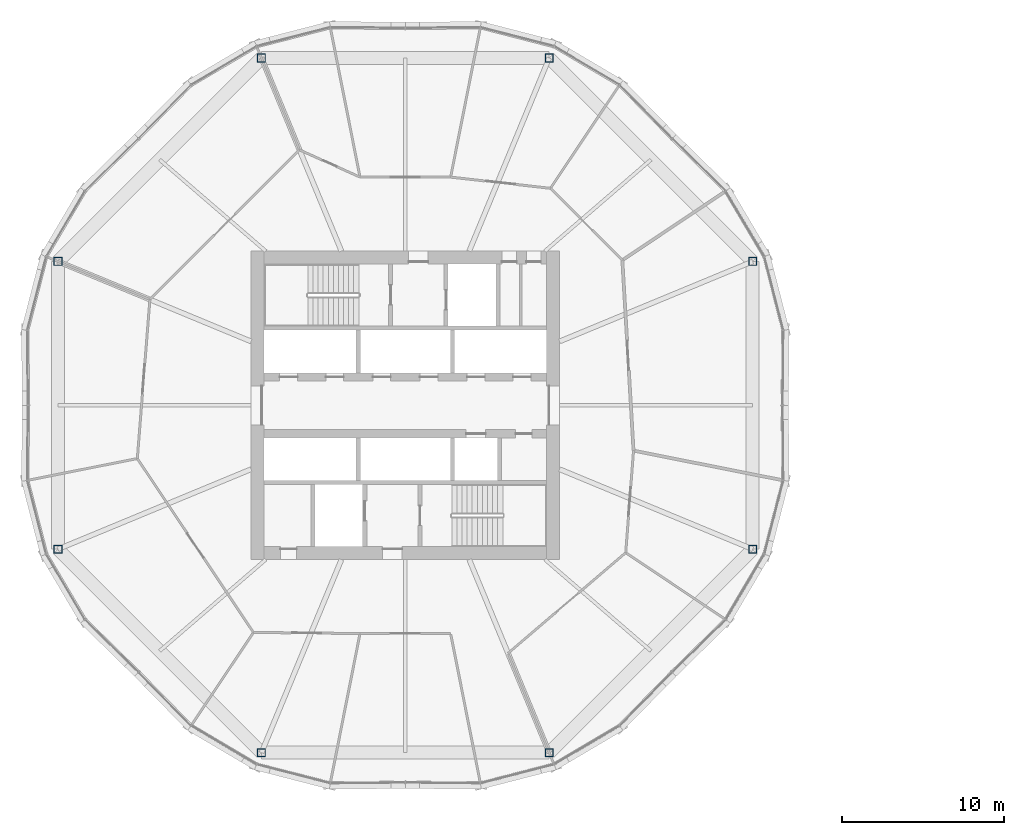
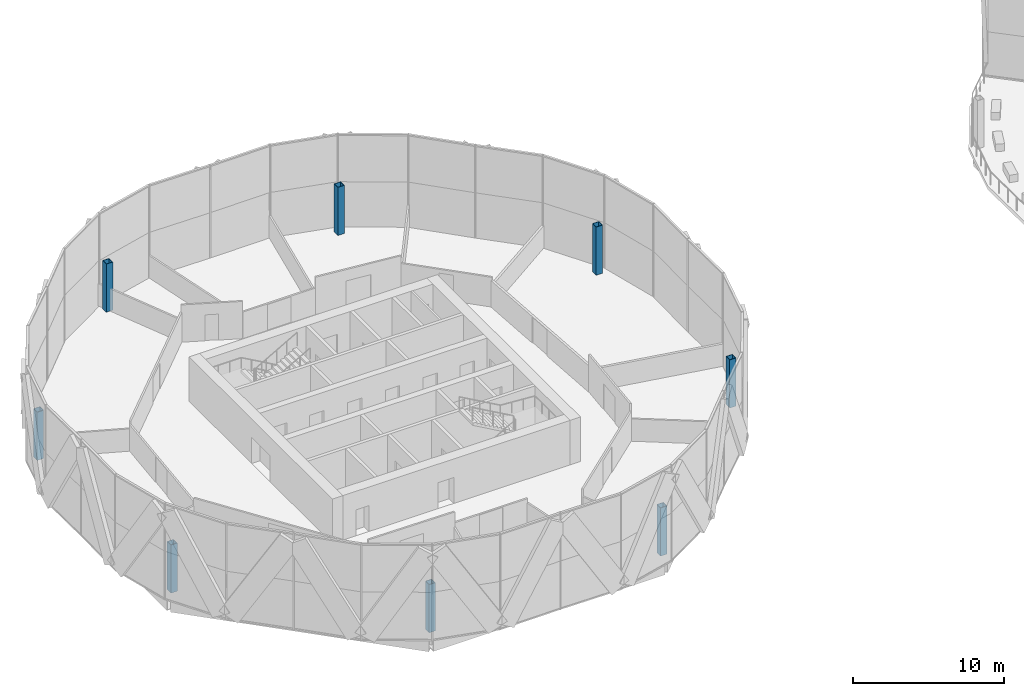
# One storey, part 1 of 31: 8 columns.
"""IFC4 building model written with IfcOpenShell, lengths in metres."""

from ifc_helpers import new_model, si_unit, direction, frame, origin, origin_2d, place, context, subcontext, project, spatial, hollow_rectangle, extrude, material, material_profile, profile_set, type_object, element, save


model = new_model("IFC4")

# Units and contexts
model_context = context("Model", 3, precision=1e-05, world=origin(), true_north=direction((0.0, 1.0)))
body_context = subcontext(model_context, "Body", "Model", "MODEL_VIEW")
ifc_project = project(units=[si_unit("LENGTHUNIT", "METRE"), si_unit("AREAUNIT", "SQUARE_METRE"), si_unit("VOLUMEUNIT", "CUBIC_METRE"), si_unit("PLANEANGLEUNIT", "RADIAN"), si_unit("MASSUNIT", "GRAM", prefix="KILO")], contexts=[model_context])

# Site, building, storey
site_placement = place(None, origin())
site = spatial("IfcSite", under=ifc_project, at=site_placement, CompositionType="ELEMENT")
building_placement = place(site_placement, origin())
building = spatial("IfcBuilding", under=site, at=building_placement, Name="Ogive Gate Towers", CompositionType="ELEMENT")
storey_placement = place(building_placement, frame((0.0, 0.0, 107.39990234375)))
storey = spatial("IfcBuildingStorey", under=building, at=storey_placement, Name="L25", CompositionType="ELEMENT", Elevation=107.39990234375)

# Columns
ifc_material = material(Name="Steel SM460", Category="steel")
ifc_material_profile = material_profile(ifc_material, hollow_rectangle(XDim=0.5, YDim=0.5, WallThickness=0.030029296875, at=origin_2d()), Name="BX 500x500x30")
ifc_profile_set = profile_set([ifc_material_profile], Name="Steel SM460")
column_type = type_object("IfcColumnType", Name="Perimeter post BX 500x500x30", PredefinedType="COLUMN", material=ifc_profile_set)
for number, where, z_axis, x_axis, name in (
    (1, (-14.60302734375, 8.863037109375, 0.0), (0.0, 0.0, 1.0), (1.0, 0.0, 0.0), "T1/L25/SCL001"),
    (2, (-27.136962890625, 21.39697265625, 0.0), (0.0, 0.0, 1.0), (1.0, 0.0, 0.0), "T1/L25/SCL002"),
    (3, (-44.863037109375, 21.39697265625, 0.0), (0.0, 0.0, 1.0), (1.0, 0.0, 0.0), "T1/L25/SCL003"),
    (4, (-57.39697265625, 8.863037109375, 0.0), (0.0, 0.0, 1.0), (1.0, 0.0, 0.0), "T1/L25/SCL004"),
    (5, (-57.39697265625, -8.863037109375, 0.0), (0.0, 0.0, 1.0), (1.0, 0.0, 0.0), "T1/L25/SCL005"),
    (6, (-44.863037109375, -21.39697265625, 0.0), (0.0, 0.0, 1.0), (1.0, 0.0, 0.0), "T1/L25/SCL006"),
    (7, (-27.136962890625, -21.39697265625, 0.0), (0.0, 0.0, 1.0), (1.0, 0.0, 0.0), "T1/L25/SCL007"),
    (8, (-14.60302734375, -8.863037109375, 0.0), (0.0, 0.0, 1.0), (1.0, 0.0, 0.0), "T1/L25/SCL008"),
):
    element("IfcColumn", number, at=place(storey_placement, frame(where, z_axis=z_axis, x_axis=x_axis)), inside=storey, type_object=column_type, Name=name, PredefinedType="COLUMN", context=body_context, shape_type="SweptSolid", body=[
        extrude(hollow_rectangle(XDim=0.5, YDim=0.5, WallThickness=0.030029296875, at=origin_2d()), origin(), (0.0, 0.0, 1.0), 3.900146484375),
    ])

save(model, "model.ifc")
